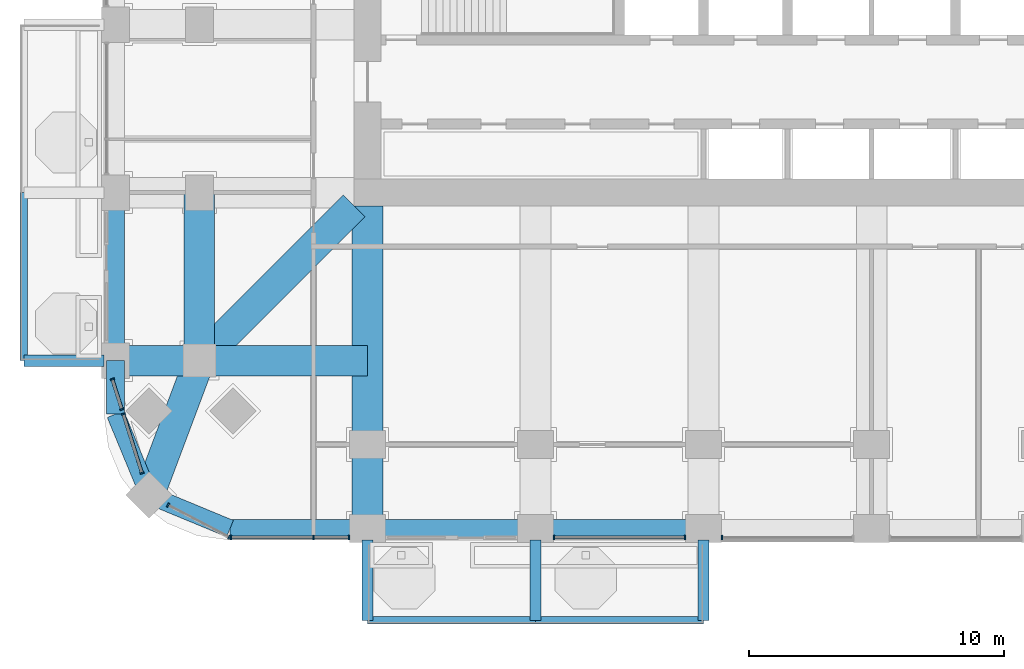
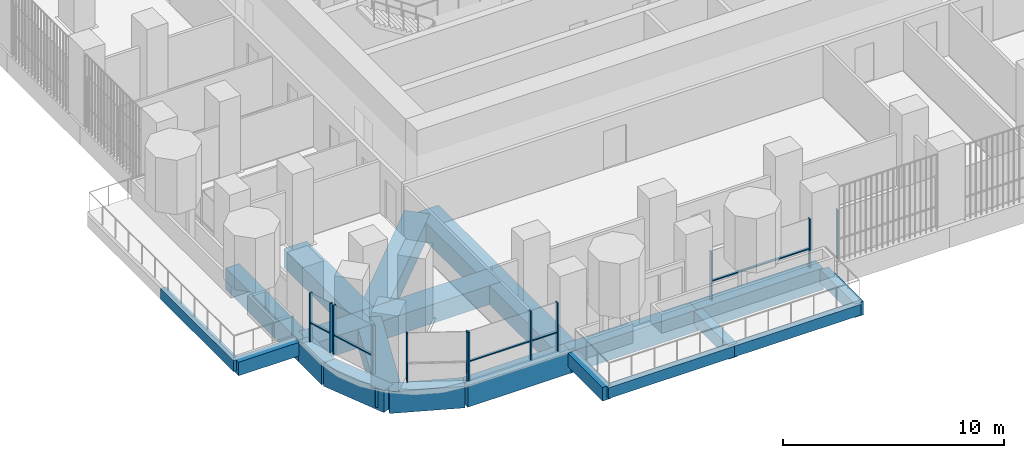
# One storey, part 2 of 21: 20 beams, 17 members, 6 elements without a shape of their own.
"""IFC4 building model written with IfcOpenShell, lengths in metres."""

from ifc_helpers import new_model, si_unit, direction, frame, origin, origin_2d, place, context, subcontext, project, spatial, rectangle, extrude, material, material_profile, profile_set, type_object, element, aggregate, save


model = new_model("IFC4")

# Units and contexts
model_context = context("Model", 3, precision=1e-05, world=origin(), true_north=direction((0.0, 1.0)))
body_context = subcontext(model_context, "Body", "Model", "MODEL_VIEW")
ifc_project = project(units=[si_unit("LENGTHUNIT", "METRE"), si_unit("AREAUNIT", "SQUARE_METRE"), si_unit("VOLUMEUNIT", "CUBIC_METRE"), si_unit("PLANEANGLEUNIT", "RADIAN"), si_unit("MASSUNIT", "GRAM", prefix="KILO")], contexts=[model_context])

# Site, building, storey
site_placement = place(None, origin())
site = spatial("IfcSite", under=ifc_project, at=site_placement, CompositionType="ELEMENT")
building_placement = place(site_placement, origin())
building = spatial("IfcBuilding", under=site, at=building_placement, Name="Cobogo Forest Laboratory Tower", CompositionType="ELEMENT")
storey_placement = place(building_placement, frame((0.0, 0.0, 124.199951171875)))
storey = spatial("IfcBuildingStorey", under=building, at=storey_placement, Name="L28", CompositionType="ELEMENT", Elevation=124.199951171875)

# Beams
ifc_material_1 = material(Name="Concrete HA-40 (C40/50)", Category="concrete")
ifc_material_profile_1 = material_profile(ifc_material_1, rectangle(XDim=0.449951171875, YDim=0.75, at=origin_2d()), Name="RC 450x750")
ifc_profile_set_1 = profile_set([ifc_material_profile_1], Name="Concrete HA-40 (C40/50)")
beam_type_1 = type_object("IfcBeamType", Name="Balcony cantilever beam 450x750", PredefinedType="BEAM", material=ifc_profile_set_1)
for number, where, z_axis, x_axis, name in (
    (1, (13.199951171875, -0.449951171875, -0.625), (0.0, -1.0, 0.0), (1.0, 0.0, 0.0), "CB1 BAL-S1-C1 L28"),
    (2, (19.800048828125, -0.449951171875, -0.625), (0.0, -1.0, 0.0), (1.0, 0.0, 0.0), "CB1 BAL-S1-C2 L28"),
    (3, (26.39990234375, -0.449951171875, -0.625), (0.0, -1.0, 0.0), (1.0, 0.0, 0.0), "CB1 BAL-S1-C3 L28"),
    (4, (2.85009765625, 6.60009765625, -0.625), (-1.0, 0.0, 0.0), (0.0, -1.0, 0.0), "CB1 BAL-W1-C1 L28"),
):
    element("IfcBeam", number, at=place(storey_placement, frame(where, z_axis=z_axis, x_axis=x_axis)), inside=storey, type_object=beam_type_1, Name=name, PredefinedType="BEAM", context=body_context, shape_type="SweptSolid", body=[
        extrude(rectangle(XDim=0.449951171875, YDim=0.75, at=origin_2d()), origin(), (0.0, 0.0, 1.0), 3.150146484375),
    ])
ifc_material_profile_2 = material_profile(ifc_material_1, rectangle(XDim=0.300048828125, YDim=0.60009765625, at=origin_2d()), Name="RC 300x600")
ifc_profile_set_2 = profile_set([ifc_material_profile_2], Name="Concrete HA-40 (C40/50)")
beam_type_2 = type_object("IfcBeamType", Name="Balcony edge beam 300x600", PredefinedType="BEAM", material=ifc_profile_set_2)
beam_1_placement = place(storey_placement, frame((13.199951171875, -3.60009765625, -0.550048828125), z_axis=(1.0, 0.0, 0.0), x_axis=(0.0, 1.0, 0.0)))
element("IfcBeam", 5, at=beam_1_placement, inside=storey, type_object=beam_type_2, Name="BB1 BAL-S1-T1 L28", PredefinedType="BEAM", context=body_context, shape_type="SweptSolid", body=[
    extrude(rectangle(XDim=0.300048828125, YDim=0.60009765625, at=origin_2d()), origin(), (0.0, 0.0, 1.0), 6.60009765625),
])
for number, where, z_axis, x_axis, name in (
    (6, (19.800048828125, -3.60009765625, -0.550048828125), (1.0, 0.0, 0.0), (0.0, 1.0, 0.0), "BB1 BAL-S1-T2 L28"),
    (7, (-0.300048828125, 6.60009765625, -0.550048828125), (0.0, 1.0, 0.0), (-1.0, 0.0, 0.0), "BB1 BAL-W1-T1 L28"),
):
    element("IfcBeam", number, at=place(storey_placement, frame(where, z_axis=z_axis, x_axis=x_axis)), inside=storey, type_object=beam_type_2, Name=name, PredefinedType="BEAM", context=body_context, shape_type="SweptSolid", body=[
        extrude(rectangle(XDim=0.300048828125, YDim=0.60009765625, at=origin_2d()), origin(), (0.0, 0.0, 1.0), 6.599853515625),
    ])
ifc_material_profile_3 = material_profile(ifc_material_1, rectangle(XDim=1.199951171875, YDim=1.050048828125, at=origin_2d()), Name="RC 1200x1050")
ifc_profile_set_3 = profile_set([ifc_material_profile_3], Name="Concrete HA-40 (C40/50)")
beam_type_3 = type_object("IfcBeamType", Name="Laboratory floor wide beam 1200x1050", PredefinedType="BEAM", material=ifc_profile_set_3)
beam_2_placement = place(storey_placement, frame((13.199951171875, 12.675048828125, -0.824951171875), z_axis=(0.0, -1.0, 0.0), x_axis=(1.0, 0.0, 0.0)))
element("IfcBeam", 8, at=beam_2_placement, inside=storey, type_object=beam_type_3, Name="RB1 R-3-S L28", PredefinedType="BEAM", context=body_context, shape_type="SweptSolid", body=[
    extrude(rectangle(XDim=1.199951171875, YDim=1.050048828125, at=origin_2d()), origin(), (0.0, 0.0, 1.0), 12.675048828125),
])
beam_3_placement = place(storey_placement, frame((6.60009765625, 6.60009765625, -0.824951171875), z_axis=(0.0, 1.0, 0.0), x_axis=(-1.0, 0.0, 0.0)))
element("IfcBeam", 9, at=beam_3_placement, inside=storey, type_object=beam_type_3, Name="RB1 G-SW-XC L28", PredefinedType="BEAM", context=body_context, shape_type="SweptSolid", body=[
    extrude(rectangle(XDim=1.199951171875, YDim=1.050048828125, at=origin_2d()), origin(), (0.0, 0.0, 1.0), 6.599853515625),
])
beam_4_placement = place(storey_placement, frame((3.300048828125, 6.60009765625, -0.824951171875), z_axis=(1.0, 0.0, 0.0), x_axis=(0.0, 1.0, 0.0)))
element("IfcBeam", 10, at=beam_4_placement, inside=storey, type_object=beam_type_3, Name="RB1 G-SW-YF L28", PredefinedType="BEAM", context=body_context, shape_type="SweptSolid", body=[
    extrude(rectangle(XDim=1.199951171875, YDim=1.050048828125, at=origin_2d()), origin(), (0.0, 0.0, 1.0), 3.300048828125),
])
beam_5_placement = place(storey_placement, frame((6.60009765625, 6.60009765625, -0.824951171875), z_axis=(1.0, 0.0, 0.0), x_axis=(0.0, 1.0, 0.0)))
element("IfcBeam", 11, at=beam_5_placement, inside=storey, type_object=beam_type_3, Name="RB1 G-SW-YC L28", PredefinedType="BEAM", context=body_context, shape_type="SweptSolid", body=[
    extrude(rectangle(XDim=1.199951171875, YDim=1.050048828125, at=origin_2d()), origin(), (0.0, 0.0, 1.0), 6.599853515625),
])
beam_6_placement = place(storey_placement, frame((4.617919921875, 1.318115234375, -0.824951171875), z_axis=(0.351346325373, 0.936245565889, 0.0), x_axis=(-0.936245565889, 0.351346325373, 0.0)))
element("IfcBeam", 12, at=beam_6_placement, inside=storey, type_object=beam_type_3, Name="RB1 G-SW-D1 L28", PredefinedType="BEAM", context=body_context, shape_type="SweptSolid", body=[
    extrude(rectangle(XDim=1.199951171875, YDim=1.050048828125, at=origin_2d()), origin(), (0.0, 0.0, 1.0), 5.6416015625),
])
beam_7_placement = place(storey_placement, frame((6.60009765625, 6.60009765625, -0.824951171875), z_axis=(0.707106781187, 0.707106781187, 0.0), x_axis=(-0.707106781187, 0.707106781187, 0.0)))
element("IfcBeam", 13, at=beam_7_placement, inside=storey, type_object=beam_type_3, Name="RB1 G-SW-D2 L28", PredefinedType="BEAM", context=body_context, shape_type="SweptSolid", body=[
    extrude(rectangle(XDim=1.199951171875, YDim=1.050048828125, at=origin_2d()), origin(), (0.0, 0.0, 1.0), 8.59130859375),
])

# Curtain wall, members
ifc_material_2 = material(Name="Aluminium curtain wall", Category="aluminium")
curtain_wall_type = type_object("IfcCurtainWallType", Name="CW-1 unitised curtain wall, clear glazing, laboratory floors zones A and B", PredefinedType="USERDEFINED", material=ifc_material_2)
curtain_wall_1_placement = place(storey_placement, origin())
curtain_wall_1 = element("IfcCurtainWall", 14, at=curtain_wall_1_placement, inside=storey, type_object=curtain_wall_type, Name="Curtain wall 01 L28", ObjectType="UNITISED CURTAIN WALL", PredefinedType="USERDEFINED")
ifc_material_3 = material(Name="Aluminium mullion", Category="aluminium")
ifc_material_profile_4 = material_profile(ifc_material_3, rectangle(XDim=0.06005859375, YDim=0.159912109375, at=origin_2d()), Name="AL 60x160")
ifc_profile_set_4 = profile_set([ifc_material_profile_4], Name="Aluminium mullion")
member_type_1 = type_object("IfcMemberType", Name="MU-1 aluminium mullion 60x160", PredefinedType="MULLION", material=ifc_profile_set_4)
member_1_placement = place(storey_placement, frame((7.830078125, -0.35009765625, 0.0), z_axis=(0.0, 0.0, 1.0), x_axis=(1.0, 0.0, 0.0)))
member_1 = element("IfcMember", 15, at=member_1_placement, type_object=member_type_1, Name="CW-1 mullion 1", PredefinedType="MULLION", context=body_context, shape_type="SweptSolid", body=[
    extrude(rectangle(XDim=0.06005859375, YDim=0.159912109375, at=origin_2d()), origin(), (0.0, 0.0, 1.0), 2.699951171875),
])
member_2_placement = place(storey_placement, frame((11.074951171875, -0.35009765625, 0.0), z_axis=(0.0, 0.0, 1.0), x_axis=(1.0, 0.0, 0.0)))
member_2 = element("IfcMember", 16, at=member_2_placement, type_object=member_type_1, Name="CW-1 mullion 2", PredefinedType="MULLION", context=body_context, shape_type="SweptSolid", body=[
    extrude(rectangle(XDim=0.06005859375, YDim=0.159912109375, at=origin_2d()), origin(), (0.0, 0.0, 1.0), 2.699951171875),
])
member_3_placement = place(storey_placement, frame((12.469970703125, -0.35009765625, 0.0), z_axis=(0.0, 0.0, 1.0), x_axis=(1.0, 0.0, 0.0)))
member_3 = element("IfcMember", 17, at=member_3_placement, type_object=member_type_1, Name="CW-1 mullion 3", PredefinedType="MULLION", context=body_context, shape_type="SweptSolid", body=[
    extrude(rectangle(XDim=0.06005859375, YDim=0.159912109375, at=origin_2d()), origin(), (0.0, 0.0, 1.0), 2.699951171875),
])

curtain_wall_2_placement = place(storey_placement, origin())
curtain_wall_2 = element("IfcCurtainWall", 18, at=curtain_wall_2_placement, inside=storey, type_object=curtain_wall_type, Name="Curtain wall 03 L28", ObjectType="UNITISED CURTAIN WALL", PredefinedType="USERDEFINED")
member_4_placement = place(storey_placement, frame((20.530029296875, -0.35009765625, 0.0), z_axis=(0.0, 0.0, 1.0), x_axis=(1.0, 0.0, 0.0)))
member_4 = element("IfcMember", 19, at=member_4_placement, type_object=member_type_1, Name="CW-1 mullion 1", PredefinedType="MULLION", context=body_context, shape_type="SweptSolid", body=[
    extrude(rectangle(XDim=0.06005859375, YDim=0.159912109375, at=origin_2d()), origin(), (0.0, 0.0, 1.0), 2.699951171875),
])
member_5_placement = place(storey_placement, frame((25.669921875, -0.35009765625, 0.0), z_axis=(0.0, 0.0, 1.0), x_axis=(1.0, 0.0, 0.0)))
member_5 = element("IfcMember", 20, at=member_5_placement, type_object=member_type_1, Name="CW-1 mullion 2", PredefinedType="MULLION", context=body_context, shape_type="SweptSolid", body=[
    extrude(rectangle(XDim=0.06005859375, YDim=0.159912109375, at=origin_2d()), origin(), (0.0, 0.0, 1.0), 2.699951171875),
])

# Curtain wall, member
curtain_wall_3_placement = place(storey_placement, origin())
curtain_wall_3 = element("IfcCurtainWall", 21, at=curtain_wall_3_placement, inside=storey, type_object=curtain_wall_type, Name="Curtain wall 04 L28", ObjectType="UNITISED CURTAIN WALL", PredefinedType="USERDEFINED")
member_6_placement = place(storey_placement, frame((27.1298828125, -0.35009765625, 0.0), z_axis=(0.0, 0.0, 1.0), x_axis=(1.0, 0.0, 0.0)))
member_6 = element("IfcMember", 22, at=member_6_placement, type_object=member_type_1, Name="CW-1 mullion 1", PredefinedType="MULLION", context=body_context, shape_type="SweptSolid", body=[
    extrude(rectangle(XDim=0.06005859375, YDim=0.159912109375, at=origin_2d()), origin(), (0.0, 0.0, 1.0), 2.699951171875),
])
aggregate(curtain_wall_3, [member_6])

# Curtain wall, members
curtain_wall_4_placement = place(storey_placement, origin())
curtain_wall_4 = element("IfcCurtainWall", 23, at=curtain_wall_4_placement, inside=storey, type_object=curtain_wall_type, Name="Curtain wall 32 L28", ObjectType="UNITISED CURTAIN WALL", PredefinedType="USERDEFINED")
member_7_placement = place(storey_placement, frame((3.18017578125, 5.871337890625, 0.0), z_axis=(0.0, 0.0, 1.0), x_axis=(0.301135356805, -0.953581405483, 0.0)))
member_7 = element("IfcMember", 24, at=member_7_placement, type_object=member_type_1, Name="CW-1 mullion 1", PredefinedType="MULLION", context=body_context, shape_type="SweptSolid", body=[
    extrude(rectangle(XDim=0.06005859375, YDim=0.159912109375, at=origin_2d()), origin(), (0.0, 0.0, 1.0), 2.699951171875),
])
member_8_placement = place(storey_placement, frame((3.55224609375, 4.69287109375, 0.0), z_axis=(0.0, 0.0, 1.0), x_axis=(0.301135356805, -0.953581405483, 0.0)))
member_8 = element("IfcMember", 25, at=member_8_placement, type_object=member_type_1, Name="CW-1 mullion 2", PredefinedType="MULLION", context=body_context, shape_type="SweptSolid", body=[
    extrude(rectangle(XDim=0.06005859375, YDim=0.159912109375, at=origin_2d()), origin(), (0.0, 0.0, 1.0), 2.699951171875),
])

curtain_wall_5_placement = place(storey_placement, origin())
curtain_wall_5 = element("IfcCurtainWall", 26, at=curtain_wall_5_placement, inside=storey, type_object=curtain_wall_type, Name="Curtain wall 33 L28", ObjectType="UNITISED CURTAIN WALL", PredefinedType="USERDEFINED")
member_9_placement = place(storey_placement, frame((3.613037109375, 4.500244140625, 0.0), z_axis=(0.0, 0.0, 1.0), x_axis=(0.301135291996, -0.953581425949, 0.0)))
member_9 = element("IfcMember", 27, at=member_9_placement, type_object=member_type_1, Name="CW-1 mullion 1", PredefinedType="MULLION", context=body_context, shape_type="SweptSolid", body=[
    extrude(rectangle(XDim=0.06005859375, YDim=0.159912109375, at=origin_2d()), origin(), (0.0, 0.0, 1.0), 2.699951171875),
])
member_10_placement = place(storey_placement, frame((4.34423828125, 2.18505859375, 0.0), z_axis=(0.0, 0.0, 1.0), x_axis=(0.301135291996, -0.953581425949, 0.0)))
member_10 = element("IfcMember", 28, at=member_10_placement, type_object=member_type_1, Name="CW-1 mullion 2", PredefinedType="MULLION", context=body_context, shape_type="SweptSolid", body=[
    extrude(rectangle(XDim=0.06005859375, YDim=0.159912109375, at=origin_2d()), origin(), (0.0, 0.0, 1.0), 2.699951171875),
])

curtain_wall_6_placement = place(storey_placement, origin())
curtain_wall_6 = element("IfcCurtainWall", 29, at=curtain_wall_6_placement, inside=storey, type_object=curtain_wall_type, Name="Curtain wall 34 L28", ObjectType="UNITISED CURTAIN WALL", PredefinedType="USERDEFINED")
member_11_placement = place(storey_placement, frame((5.368408203125, 0.9248046875, 0.0), z_axis=(0.0, 0.0, 1.0), x_axis=(0.885686547075, -0.464283685186, 0.0)))
member_11 = element("IfcMember", 30, at=member_11_placement, type_object=member_type_1, Name="CW-1 mullion 1", PredefinedType="MULLION", context=body_context, shape_type="SweptSolid", body=[
    extrude(rectangle(XDim=0.06005859375, YDim=0.159912109375, at=origin_2d()), origin(), (0.0, 0.0, 1.0), 2.699951171875),
])
member_12_placement = place(storey_placement, frame((7.7734375, -0.336181640625, 0.0), z_axis=(0.0, 0.0, 1.0), x_axis=(0.885686547075, -0.464283685186, 0.0)))
member_12 = element("IfcMember", 31, at=member_12_placement, type_object=member_type_1, Name="CW-1 mullion 2", PredefinedType="MULLION", context=body_context, shape_type="SweptSolid", body=[
    extrude(rectangle(XDim=0.06005859375, YDim=0.159912109375, at=origin_2d()), origin(), (0.0, 0.0, 1.0), 2.699951171875),
])
aggregate(curtain_wall_6, [member_11, member_12])

# Beams
ifc_material_profile_5 = material_profile(ifc_material_1, rectangle(XDim=0.699951171875, YDim=1.199951171875, at=origin_2d()), Name="RC 700x1200")
ifc_profile_set_5 = profile_set([ifc_material_profile_5], Name="Concrete HA-40 (C40/50)")
beam_type_4 = type_object("IfcBeamType", Name="Perimeter edge beam 700x1200", PredefinedType="BEAM", material=ifc_profile_set_5)
beam_8_placement = place(storey_placement, frame((13.199951171875, 0.0, -0.89990234375), z_axis=(1.0, 0.0, 0.0), x_axis=(0.0, 1.0, 0.0)))
element("IfcBeam", 32, at=beam_8_placement, inside=storey, type_object=beam_type_4, Name="EB1 E-S1 L28", PredefinedType="BEAM", context=body_context, shape_type="SweptSolid", body=[
    extrude(rectangle(XDim=0.699951171875, YDim=1.199951171875, at=origin_2d()), origin(), (0.0, 0.0, 1.0), 6.60009765625),
])
for number, where, z_axis, x_axis, name in (
    (33, (19.800048828125, 0.0, -0.89990234375), (1.0, 0.0, 0.0), (0.0, 1.0, 0.0), "EB1 E-S2 L28"),
    (34, (3.300048828125, 6.60009765625, -0.89990234375), (0.0, 1.0, 0.0), (-1.0, 0.0, 0.0), "EB1 E-W1 L28"),
):
    element("IfcBeam", number, at=place(storey_placement, frame(where, z_axis=z_axis, x_axis=x_axis)), inside=storey, type_object=beam_type_4, Name=name, PredefinedType="BEAM", context=body_context, shape_type="SweptSolid", body=[
        extrude(rectangle(XDim=0.699951171875, YDim=1.199951171875, at=origin_2d()), origin(), (0.0, 0.0, 1.0), 6.599853515625),
    ])
beam_9_placement = place(storey_placement, frame((13.199951171875, 0.0, -0.89990234375), z_axis=(-1.0, 0.0, 0.0), x_axis=(0.0, -1.0, 0.0)))
element("IfcBeam", 35, at=beam_9_placement, inside=storey, type_object=beam_type_4, Name="EB1 E-SWS1 L28", PredefinedType="BEAM", context=body_context, shape_type="SweptSolid", body=[
    extrude(rectangle(XDim=0.699951171875, YDim=1.199951171875, at=origin_2d()), origin(), (0.0, 0.0, 1.0), 5.39990234375),
])
beam_10_placement = place(storey_placement, frame((7.800048828125, 0.0, -0.89990234375), z_axis=(-0.923876013265, 0.382691928466, 0.0), x_axis=(-0.382691928466, -0.923876013265, 0.0)))
element("IfcBeam", 36, at=beam_10_placement, inside=storey, type_object=beam_type_4, Name="EB1 E-SWS2 L28", PredefinedType="BEAM", context=body_context, shape_type="SweptSolid", body=[
    extrude(rectangle(XDim=0.699951171875, YDim=1.199951171875, at=origin_2d()), origin(), (0.0, 0.0, 1.0), 3.4443359375),
])
beam_11_placement = place(storey_placement, frame((3.300048828125, 6.60009765625, -0.89990234375), z_axis=(0.0, -1.0, 0.0), x_axis=(1.0, 0.0, 0.0)))
element("IfcBeam", 37, at=beam_11_placement, inside=storey, type_object=beam_type_4, Name="EB1 E-SWW1 L28", PredefinedType="BEAM", context=body_context, shape_type="SweptSolid", body=[
    extrude(rectangle(XDim=0.699951171875, YDim=1.199951171875, at=origin_2d()), origin(), (0.0, 0.0, 1.0), 2.10009765625),
])
beam_12_placement = place(storey_placement, frame((3.300048828125, 4.5, -0.89990234375), z_axis=(0.382656484822, -0.923890694089, 0.0), x_axis=(0.923890694089, 0.382656484822, 0.0)))
element("IfcBeam", 38, at=beam_12_placement, inside=storey, type_object=beam_type_4, Name="EB1 E-SWW2 L28", PredefinedType="BEAM", context=body_context, shape_type="SweptSolid", body=[
    extrude(rectangle(XDim=0.699951171875, YDim=1.199951171875, at=origin_2d()), origin(), (0.0, 0.0, 1.0), 3.444091796875),
])

# Member
ifc_material_4 = material(Name="Aluminium transom", Category="aluminium")
ifc_material_profile_6 = material_profile(ifc_material_4, rectangle(XDim=0.1201171875, YDim=0.06005859375, at=origin_2d()), Name="AL 60x120")
ifc_profile_set_6 = profile_set([ifc_material_profile_6], Name="Aluminium transom")
member_type_2 = type_object("IfcMemberType", Name="TR-1 aluminium transom 60x120", PredefinedType="USERDEFINED", material=ifc_profile_set_6)
member_13_placement = place(storey_placement, frame((7.860107421875, -0.35009765625, 1.050048828125), z_axis=(1.0, 0.0, 0.0), x_axis=(0.0, 1.0, 0.0)))
member_13 = element("IfcMember", 39, at=member_13_placement, type_object=member_type_2, Name="CW-1 transom 1.1", ObjectType="TRANSOM", PredefinedType="USERDEFINED", context=body_context, shape_type="SweptSolid", body=[
    extrude(rectangle(XDim=0.1201171875, YDim=0.06005859375, at=origin_2d()), origin(), (0.0, 0.0, 1.0), 3.184814453125),
])

member_14_placement = place(storey_placement, frame((11.10498046875, -0.35009765625, 1.050048828125), z_axis=(1.0, 0.0, 0.0), x_axis=(0.0, 1.0, 0.0)))
member_14 = element("IfcMember", 40, at=member_14_placement, type_object=member_type_2, Name="CW-1 transom 2.1", ObjectType="TRANSOM", PredefinedType="USERDEFINED", context=body_context, shape_type="SweptSolid", body=[
    extrude(rectangle(XDim=0.1201171875, YDim=0.06005859375, at=origin_2d()), origin(), (0.0, 0.0, 1.0), 1.3349609375),
])

aggregate(curtain_wall_1, [member_1, member_2, member_3, member_13, member_14])

member_15_placement = place(storey_placement, frame((20.56005859375, -0.35009765625, 1.050048828125), z_axis=(1.0, 0.0, 0.0), x_axis=(0.0, 1.0, 0.0)))
member_15 = element("IfcMember", 41, at=member_15_placement, type_object=member_type_2, Name="CW-1 transom 1.1", ObjectType="TRANSOM", PredefinedType="USERDEFINED", context=body_context, shape_type="SweptSolid", body=[
    extrude(rectangle(XDim=0.1201171875, YDim=0.06005859375, at=origin_2d()), origin(), (0.0, 0.0, 1.0), 5.079833984375),
])

aggregate(curtain_wall_2, [member_4, member_5, member_15])

member_16_placement = place(storey_placement, frame((3.189208984375, 5.8427734375, 1.050048828125), z_axis=(0.301111490799, -0.953588941897, 0.0), x_axis=(0.953588941897, 0.301111490799, 0.0)))
member_16 = element("IfcMember", 42, at=member_16_placement, type_object=member_type_2, Name="CW-1 transom 1.1", ObjectType="TRANSOM", PredefinedType="USERDEFINED", context=body_context, shape_type="SweptSolid", body=[
    extrude(rectangle(XDim=0.1201171875, YDim=0.06005859375, at=origin_2d()), origin(), (0.0, 0.0, 1.0), 1.175537109375),
])

aggregate(curtain_wall_4, [member_7, member_8, member_16])

member_17_placement = place(storey_placement, frame((3.6220703125, 4.4716796875, 1.050048828125), z_axis=(0.301156039198, -0.953574873859, 0.0), x_axis=(0.953574873859, 0.301156039198, 0.0)))
member_17 = element("IfcMember", 43, at=member_17_placement, type_object=member_type_2, Name="CW-1 transom 1.1", ObjectType="TRANSOM", PredefinedType="USERDEFINED", context=body_context, shape_type="SweptSolid", body=[
    extrude(rectangle(XDim=0.1201171875, YDim=0.06005859375, at=origin_2d()), origin(), (0.0, 0.0, 1.0), 2.367919921875),
])

aggregate(curtain_wall_5, [member_9, member_10, member_17])

save(model, "model.ifc")
